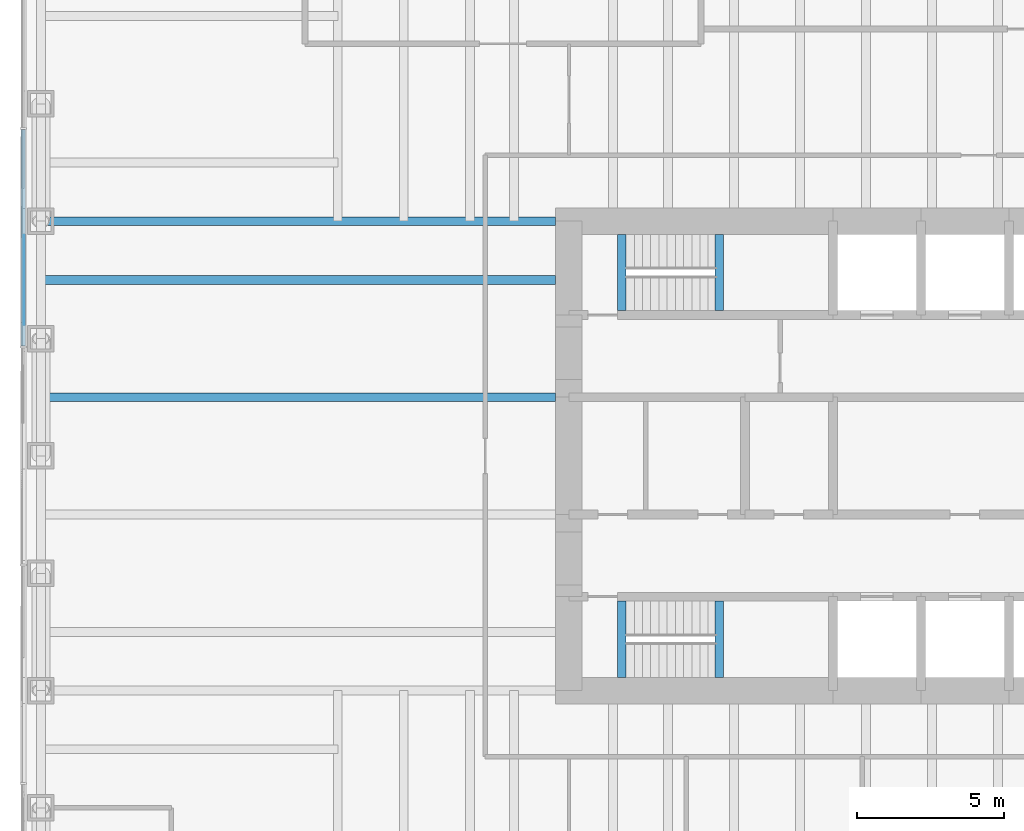
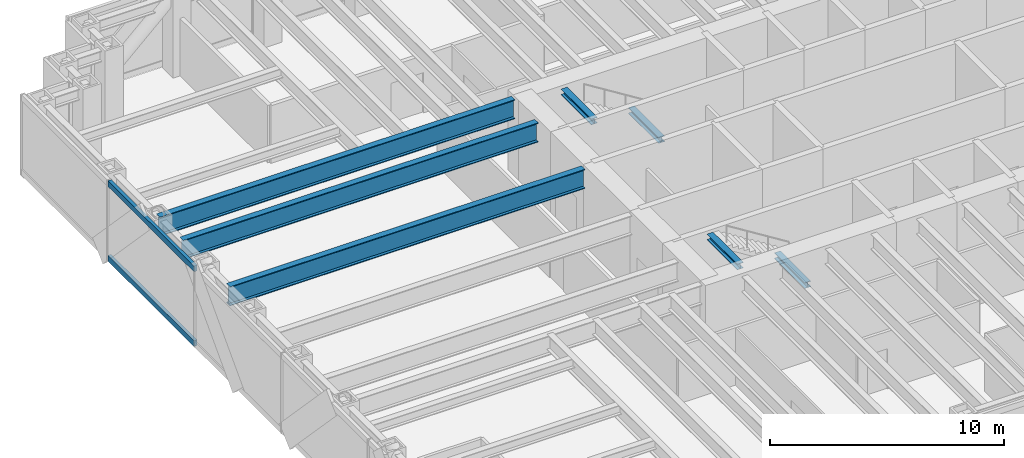
# One storey, part 3 of 15: 7 beams, 2 members, 1 element without a shape of its own.
"""IFC4 building model written with IfcOpenShell, lengths in metres."""

from ifc_helpers import new_model, si_unit, direction, frame, origin, origin_2d, place, context, subcontext, project, spatial, rectangle, i_section, extrude, material, material_profile, profile_set, type_object, element, aggregate, save


model = new_model("IFC4")

# Units and contexts
model_context = context("Model", 3, precision=1e-05, world=origin(), true_north=direction((0.0, 1.0)))
body_context = subcontext(model_context, "Body", "Model", "MODEL_VIEW")
ifc_project = project(units=[si_unit("LENGTHUNIT", "METRE"), si_unit("AREAUNIT", "SQUARE_METRE"), si_unit("VOLUMEUNIT", "CUBIC_METRE"), si_unit("PLANEANGLEUNIT", "RADIAN"), si_unit("MASSUNIT", "GRAM", prefix="KILO")], contexts=[model_context])

# Site, building, storey
site_placement = place(None, origin())
site = spatial("IfcSite", under=ifc_project, at=site_placement, CompositionType="ELEMENT")
building_placement = place(site_placement, origin())
building = spatial("IfcBuilding", under=site, at=building_placement, Name="Rheinbord Bourse Tower", CompositionType="ELEMENT")
storey_placement = place(building_placement, frame((0.0, 0.0, 125.699951171875)))
storey = spatial("IfcBuildingStorey", under=building, at=storey_placement, Name="L27", CompositionType="ELEMENT", Elevation=125.699951171875)

# Curtain wall, members
ifc_material_1 = material(Name="Dark glass and black aluminium", Category="aluminium")
curtain_wall_type = type_object("IfcCurtainWallType", Name="CW2 DARK GLASS CURTAIN WALL", PredefinedType="USERDEFINED", material=ifc_material_1)
curtain_wall_placement = place(storey_placement, origin())
curtain_wall = element("IfcCurtainWall", 1, at=curtain_wall_placement, inside=storey, type_object=curtain_wall_type, Name="Curtain wall CW2 W L27", ObjectType="UNITISED CURTAIN WALL", PredefinedType="USERDEFINED")
ifc_material_2 = material(Name="Black anodised aluminium", Category="aluminium")
ifc_material_profile_1 = material_profile(ifc_material_2, rectangle(XDim=0.159912109375, YDim=0.300048828125, at=origin_2d()), Name="CW2 TRANSOM 300x160")
ifc_profile_set_1 = profile_set([ifc_material_profile_1], Name="Black anodised aluminium")
member_type = type_object("IfcMemberType", Name="CW2 BLACK TRANSOM", PredefinedType="USERDEFINED", material=ifc_profile_set_1)
member_1_placement = place(storey_placement, frame((-0.60009765625, 35.125, 0.150146484375), z_axis=(0.0, -1.0, 0.0), x_axis=(1.0, 0.0, 0.0)))
member_1 = element("IfcMember", 2, at=member_1_placement, type_object=member_type, Name="CW2 transom 2.1", ObjectType="TRANSOM", PredefinedType="USERDEFINED", context=body_context, shape_type="SweptSolid", body=[
    extrude(rectangle(XDim=0.159912109375, YDim=0.300048828125, at=origin_2d()), origin(), (0.0, 0.0, 1.0), 7.3701171875),
])
member_2_placement = place(storey_placement, frame((-0.60009765625, 35.125, 4.050048828125), z_axis=(0.0, -1.0, 0.0), x_axis=(1.0, 0.0, 0.0)))
member_2 = element("IfcMember", 3, at=member_2_placement, type_object=member_type, Name="CW2 transom 2.2", ObjectType="TRANSOM", PredefinedType="USERDEFINED", context=body_context, shape_type="SweptSolid", body=[
    extrude(rectangle(XDim=0.159912109375, YDim=0.300048828125, at=origin_2d()), origin(), (0.0, 0.0, 1.0), 7.3701171875),
])
aggregate(curtain_wall, [member_1, member_2])

# Beams
ifc_material_3 = material(Name="Steel S460", Category="steel")
ifc_material_profile_2 = material_profile(ifc_material_3, i_section(OverallWidth=0.302001953125, OverallDepth=1.008056640625, WebThickness=0.02099609375, FlangeThickness=0.0400390625, at=origin_2d()), Name="HEM 1000")
ifc_profile_set_2 = profile_set([ifc_material_profile_2], Name="Steel S460")
beam_type_1 = type_object("IfcBeamType", Name="END BEAM HEM 1000", PredefinedType="BEAM", material=ifc_profile_set_2)
for number, where, z_axis, x_axis, name in (
    (4, (0.0, 26.0, 3.5361328125), (1.0, 0.0, 0.0), (0.0, 1.0, 0.0), "End beam west 26 L28"),
    (5, (0.0, 30.0, 3.5361328125), (1.0, 0.0, 0.0), (0.0, 1.0, 0.0), "End beam west 30 L28"),
):
    element("IfcBeam", number, at=place(storey_placement, frame(where, z_axis=z_axis, x_axis=x_axis)), inside=storey, type_object=beam_type_1, Name=name, PredefinedType="BEAM", context=body_context, shape_type="SweptSolid", body=[
        extrude(i_section(OverallWidth=0.302001953125, OverallDepth=1.008056640625, WebThickness=0.02099609375, FlangeThickness=0.0400390625, at=origin_2d()), origin(), (0.0, 0.0, 1.0), 17.550048828125),
    ])
ifc_material_4 = material(Name="Steel S460", Category="steel")
ifc_material_profile_3 = material_profile(ifc_material_4, i_section(OverallWidth=0.302001953125, OverallDepth=1.008056640625, WebThickness=0.02099609375, FlangeThickness=0.0400390625, at=origin_2d()), Name="HEM 1000")
ifc_profile_set_3 = profile_set([ifc_material_profile_3], Name="Steel S460")
beam_type_2 = type_object("IfcBeamType", Name="GIRDER HEM 1000", PredefinedType="BEAM", material=ifc_profile_set_3)
beam_placement = place(storey_placement, frame((0.0, 32.0, 3.5361328125), z_axis=(1.0, 0.0, 0.0), x_axis=(0.0, 1.0, 0.0)))
element("IfcBeam", 6, at=beam_placement, inside=storey, type_object=beam_type_2, Name="Girder west 32 L28", PredefinedType="BEAM", context=body_context, shape_type="SweptSolid", body=[
    extrude(i_section(OverallWidth=0.302001953125, OverallDepth=1.008056640625, WebThickness=0.02099609375, FlangeThickness=0.0400390625, at=origin_2d()), origin(), (0.0, 0.0, 1.0), 17.550048828125),
])
ifc_material_5 = material(Name="Steel S460", Category="steel")
ifc_material_profile_4 = material_profile(ifc_material_5, i_section(OverallWidth=0.300048828125, OverallDepth=0.300048828125, WebThickness=0.010986328125, FlangeThickness=0.01904296875, at=origin_2d()), Name="HEB 300")
ifc_profile_set_4 = profile_set([ifc_material_profile_4], Name="Steel S460")
beam_type_3 = type_object("IfcBeamType", Name="LANDING TRIMMER HEB 300", PredefinedType="BEAM", material=ifc_profile_set_4)
for number, where, z_axis, x_axis, name in (
    (7, (23.1298828125, 16.449951171875, 1.75), (0.0, 1.0, 0.0), (-1.0, 0.0, 0.0), "Landing trimmer ST1 L27"),
    (8, (19.800048828125, 16.449951171875, 3.89013671875), (0.0, 1.0, 0.0), (-1.0, 0.0, 0.0), "Well trimmer ST1 under L28"),
    (9, (23.1298828125, 28.949951171875, 1.75), (0.0, 1.0, 0.0), (-1.0, 0.0, 0.0), "Landing trimmer ST2 L27"),
    (10, (19.800048828125, 28.949951171875, 3.89013671875), (0.0, 1.0, 0.0), (-1.0, 0.0, 0.0), "Well trimmer ST2 under L28"),
):
    element("IfcBeam", number, at=place(storey_placement, frame(where, z_axis=z_axis, x_axis=x_axis)), inside=storey, type_object=beam_type_3, Name=name, PredefinedType="BEAM", context=body_context, shape_type="SweptSolid", body=[
        extrude(i_section(OverallWidth=0.300048828125, OverallDepth=0.300048828125, WebThickness=0.010986328125, FlangeThickness=0.01904296875, at=origin_2d()), origin(), (0.0, 0.0, 1.0), 2.60009765625),
    ])

save(model, "model.ifc")
